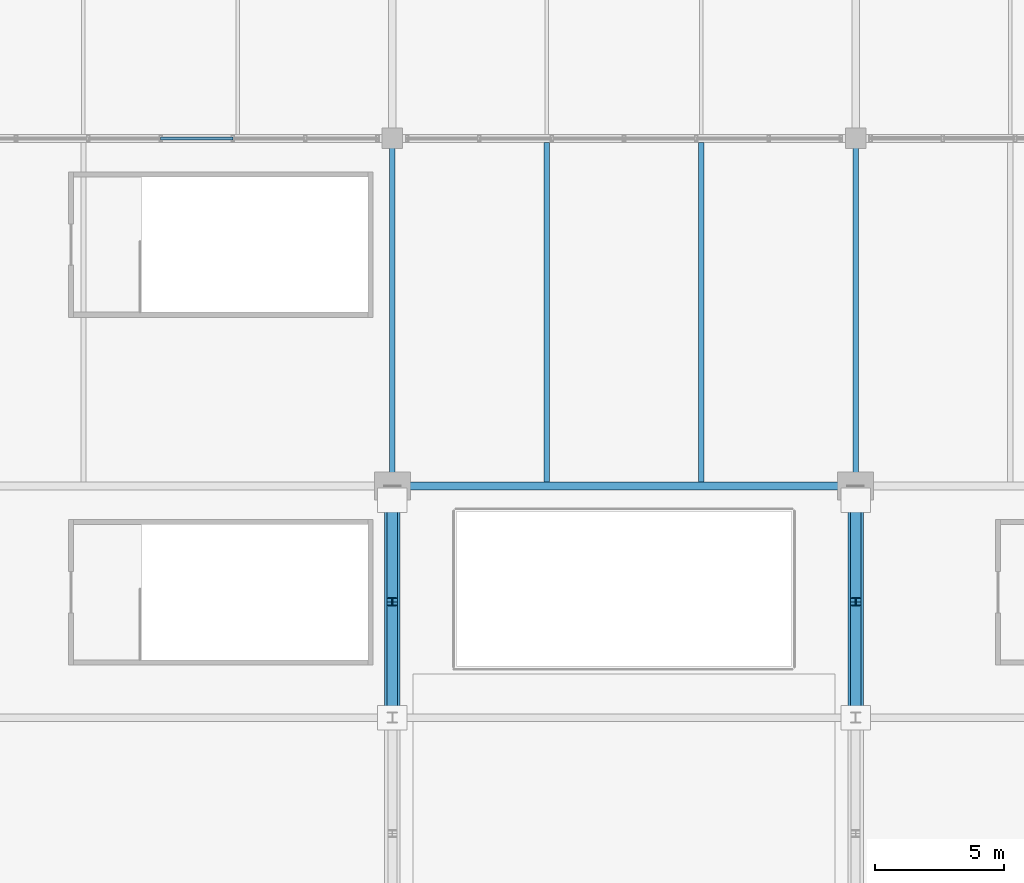
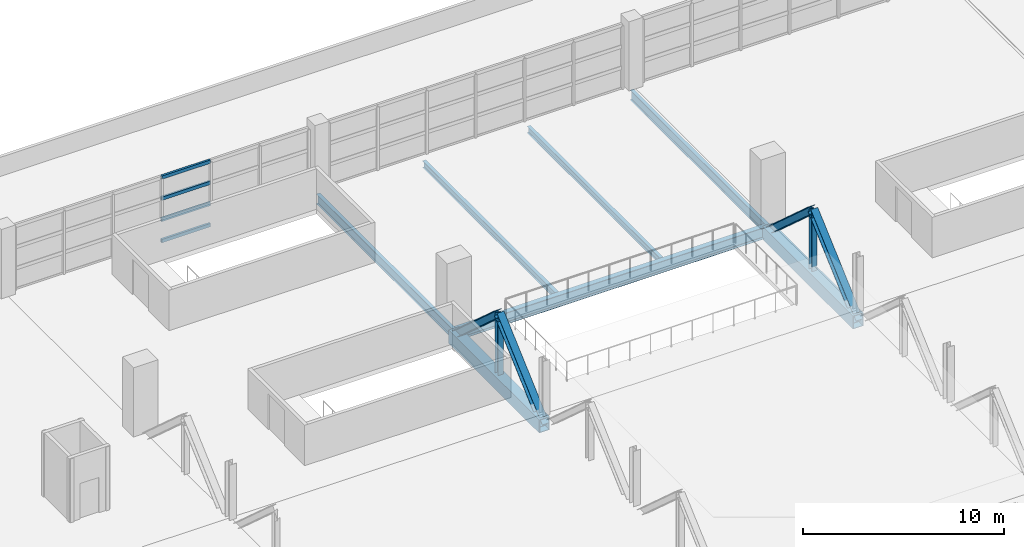
# One storey, part 47 of 136: 10 members, 7 beams, 1 element without a shape of its own.
"""IFC4 building model written with IfcOpenShell, lengths in metres."""

from ifc_helpers import new_model, si_unit, direction, frame, origin, origin_2d, place, context, subcontext, project, spatial, hollow_rectangle, i_section, extrude, material, material_profile, profile_set, type_object, element, aggregate, save


model = new_model("IFC4")

# Units and contexts
model_context = context("Model", 3, precision=1e-05, world=origin(), true_north=direction((0.0, 1.0)))
body_context = subcontext(model_context, "Body", "Model", "MODEL_VIEW")
ifc_project = project(units=[si_unit("LENGTHUNIT", "METRE"), si_unit("AREAUNIT", "SQUARE_METRE"), si_unit("VOLUMEUNIT", "CUBIC_METRE"), si_unit("PLANEANGLEUNIT", "RADIAN"), si_unit("MASSUNIT", "GRAM", prefix="KILO")], contexts=[model_context])

# Site, building, storey
site_placement = place(None, origin())
site = spatial("IfcSite", under=ifc_project, at=site_placement, CompositionType="ELEMENT")
building_placement = place(site_placement, origin())
building = spatial("IfcBuilding", under=site, at=building_placement, Name="Chuanluo Vaults Station", CompositionType="ELEMENT")
storey_placement = place(building_placement, frame((0.0, 0.0, 6.60009765625)))
storey = spatial("IfcBuildingStorey", under=building, at=storey_placement, Name="L01", CompositionType="ELEMENT", Elevation=6.60009765625)

# Beams
ifc_material_1 = material(Name="Steel Q355C", Category="steel")
ifc_material_profile_1 = material_profile(ifc_material_1, i_section(OverallWidth=0.199951171875, OverallDepth=0.60009765625, WebThickness=0.010986328125, FlangeThickness=0.01708984375, FilletRadius=0.01806640625, at=origin_2d()))
ifc_profile_set_1 = profile_set([ifc_material_profile_1], Name="Steel Q355C")
beam_type_1 = type_object("IfcBeamType", Name="BM-GRD-600", PredefinedType="USERDEFINED", material=ifc_profile_set_1)
for number, where, z_axis, x_axis, name in (
    (1, (72.0, 103.5, -0.580078125), (0.0, 1.0, 0.0), (-1.0, 0.0, 0.0), "Floor girder BM:GY:L01:0438"),
    (2, (90.0, 103.5, -0.580078125), (0.0, 1.0, 0.0), (-1.0, 0.0, 0.0), "Floor girder BM:GY:L01:0445"),
):
    element("IfcBeam", number, at=place(storey_placement, frame(where, z_axis=z_axis, x_axis=x_axis)), inside=storey, type_object=beam_type_1, Name=name, ObjectType="GIRDER", PredefinedType="USERDEFINED", context=body_context, shape_type="SweptSolid", body=[
        extrude(i_section(OverallWidth=0.199951171875, OverallDepth=0.60009765625, WebThickness=0.010986328125, FlangeThickness=0.01708984375, FilletRadius=0.01806640625, at=origin_2d()), origin(), (0.0, 0.0, 1.0), 13.5),
    ])
ifc_material_2 = material(Name="Steel Q355C", Category="steel")
ifc_material_profile_2 = material_profile(ifc_material_2, i_section(OverallWidth=0.300048828125, OverallDepth=0.699951171875, WebThickness=0.012939453125, FlangeThickness=0.02392578125, FilletRadius=0.02197265625, at=origin_2d()))
ifc_profile_set_2 = profile_set([ifc_material_profile_2], Name="Steel Q355C")
beam_type_2 = type_object("IfcBeamType", Name="BM-GRD-700", PredefinedType="USERDEFINED", material=ifc_profile_set_2)
beam_placement = place(storey_placement, frame((72.0, 103.5, -0.630126953125), z_axis=(1.0, 0.0, 0.0), x_axis=(0.0, 1.0, 0.0)))
element("IfcBeam", 3, at=beam_placement, inside=storey, type_object=beam_type_2, Name="Floor girder BM:GX:L01:0366", ObjectType="GIRDER", PredefinedType="USERDEFINED", context=body_context, shape_type="SweptSolid", body=[
    extrude(i_section(OverallWidth=0.300048828125, OverallDepth=0.699951171875, WebThickness=0.012939453125, FlangeThickness=0.02392578125, FilletRadius=0.02197265625, at=origin_2d()), origin(), (0.0, 0.0, 1.0), 18.0),
])
ifc_material_3 = material(Name="Steel Q355C", Category="steel")
ifc_material_profile_3 = material_profile(ifc_material_3, i_section(OverallWidth=0.199951171875, OverallDepth=0.39990234375, WebThickness=0.008056640625, FlangeThickness=0.012939453125, FilletRadius=0.01611328125, at=origin_2d()))
ifc_profile_set_3 = profile_set([ifc_material_profile_3], Name="Steel Q355C")
beam_type_3 = type_object("IfcBeamType", Name="BM-SEC-400", PredefinedType="BEAM", material=ifc_profile_set_3)
for number, where, z_axis, x_axis, name in (
    (4, (78.0, 103.655029296875, -0.47998046875), (0.0, 1.0, 0.0), (-1.0, 0.0, 0.0), "Composite secondary joist 0132"),
    (5, (84.0, 103.655029296875, -0.47998046875), (0.0, 1.0, 0.0), (-1.0, 0.0, 0.0), "Composite secondary joist 0133"),
):
    element("IfcBeam", number, at=place(storey_placement, frame(where, z_axis=z_axis, x_axis=x_axis)), inside=storey, type_object=beam_type_3, Name=name, PredefinedType="BEAM", context=body_context, shape_type="SweptSolid", body=[
        extrude(i_section(OverallWidth=0.199951171875, OverallDepth=0.39990234375, WebThickness=0.008056640625, FlangeThickness=0.012939453125, FilletRadius=0.01611328125, at=origin_2d()), origin(), (0.0, 0.0, 1.0), 13.18994140625),
    ])
ifc_material_4 = material(Name="Steel Q390C", Category="steel")
ifc_material_profile_4 = material_profile(ifc_material_4, hollow_rectangle(XDim=0.60009765625, YDim=0.800048828125, WallThickness=0.031982421875, at=origin_2d()))
ifc_profile_set_4 = profile_set([ifc_material_profile_4], Name="Steel Q390C")
beam_type_4 = type_object("IfcBeamType", Name="BM-TT-BOT", PredefinedType="USERDEFINED", material=ifc_profile_set_4)
for number, where, z_axis, x_axis, name in (
    (6, (72.0, 94.5, -0.68017578125), (0.0, 1.0, 0.0), (-1.0, 0.0, 0.0), "Transfer truss TT-5 bottom chord 4"),
    (7, (90.0, 94.5, -0.68017578125), (0.0, 1.0, 0.0), (-1.0, 0.0, 0.0), "Transfer truss TT-6 bottom chord 4"),
):
    element("IfcBeam", number, at=place(storey_placement, frame(where, z_axis=z_axis, x_axis=x_axis)), inside=storey, type_object=beam_type_4, Name=name, ObjectType="GIRDER", PredefinedType="USERDEFINED", context=body_context, shape_type="SweptSolid", body=[
        extrude(hollow_rectangle(XDim=0.60009765625, YDim=0.800048828125, WallThickness=0.031982421875, at=origin_2d()), origin(), (0.0, 0.0, 1.0), 9.0),
    ])

# Curtain wall, members
ifc_material_5 = material(Name="Anodised aluminium 6063-T6", Category="aluminium")
curtain_wall_type = type_object("IfcCurtainWallType", Name="CW-SYS-15", PredefinedType="NOTDEFINED", material=ifc_material_5)
curtain_wall_placement = place(storey_placement, origin())
curtain_wall = element("IfcCurtainWall", 8, at=curtain_wall_placement, inside=storey, type_object=curtain_wall_type, Name="Over-track V4 north facade CW", PredefinedType="NOTDEFINED")
ifc_material_6 = material(Name="Anodised aluminium 6063-T6", Category="aluminium")
ifc_material_profile_5 = material_profile(ifc_material_6, hollow_rectangle(XDim=0.1201171875, YDim=0.205078125, WallThickness=0.006103515625, at=origin_2d()))
ifc_profile_set_5 = profile_set([ifc_material_profile_5], Name="Anodised aluminium 6063-T6")
member_type_1 = type_object("IfcMemberType", Name="CWT-130", PredefinedType="USERDEFINED", material=ifc_profile_set_5)
member_1_placement = place(storey_placement, frame((63.0, 117.0, 0.0), z_axis=(1.0, 0.0, 0.0), x_axis=(0.0, 1.0, 0.0)))
member_1 = element("IfcMember", 9, at=member_1_placement, type_object=member_type_1, Name="Over-track V4 north facade CW transom 4.1", ObjectType="TRANSOM", PredefinedType="USERDEFINED", context=body_context, shape_type="SweptSolid", body=[
    extrude(hollow_rectangle(XDim=0.1201171875, YDim=0.205078125, WallThickness=0.006103515625, at=origin_2d()), origin(), (0.0, 0.0, 1.0), 2.808349609375),
])
member_2_placement = place(storey_placement, frame((63.0, 117.0, 1.283203125), z_axis=(1.0, 0.0, 0.0), x_axis=(0.0, 1.0, 0.0)))
member_2 = element("IfcMember", 10, at=member_2_placement, type_object=member_type_1, Name="Over-track V4 north facade CW transom 4.2", ObjectType="TRANSOM", PredefinedType="USERDEFINED", context=body_context, shape_type="SweptSolid", body=[
    extrude(hollow_rectangle(XDim=0.1201171875, YDim=0.205078125, WallThickness=0.006103515625, at=origin_2d()), origin(), (0.0, 0.0, 1.0), 2.808349609375),
])
member_3_placement = place(storey_placement, frame((63.0, 117.0, 2.566650390625), z_axis=(1.0, 0.0, 0.0), x_axis=(0.0, 1.0, 0.0)))
member_3 = element("IfcMember", 11, at=member_3_placement, type_object=member_type_1, Name="Over-track V4 north facade CW transom 4.3", ObjectType="TRANSOM", PredefinedType="USERDEFINED", context=body_context, shape_type="SweptSolid", body=[
    extrude(hollow_rectangle(XDim=0.1201171875, YDim=0.205078125, WallThickness=0.006103515625, at=origin_2d()), origin(), (0.0, 0.0, 1.0), 2.808349609375),
])
member_4_placement = place(storey_placement, frame((63.0, 117.0, 3.849853515625), z_axis=(1.0, 0.0, 0.0), x_axis=(0.0, 1.0, 0.0)))
member_4 = element("IfcMember", 12, at=member_4_placement, type_object=member_type_1, Name="Over-track V4 north facade CW transom 4.4", ObjectType="TRANSOM", PredefinedType="USERDEFINED", context=body_context, shape_type="SweptSolid", body=[
    extrude(hollow_rectangle(XDim=0.1201171875, YDim=0.205078125, WallThickness=0.006103515625, at=origin_2d()), origin(), (0.0, 0.0, 1.0), 2.808349609375),
])
aggregate(curtain_wall, [member_1, member_2, member_3, member_4])

# Members
ifc_material_7 = material(Name="Steel Q390C", Category="steel")
ifc_material_profile_6 = material_profile(ifc_material_7, i_section(OverallWidth=0.39990234375, OverallDepth=0.407958984375, WebThickness=0.02099609375, FlangeThickness=0.02099609375, FilletRadius=0.02197265625, at=origin_2d()))
ifc_profile_set_6 = profile_set([ifc_material_profile_6], Name="Steel Q390C")
member_type_2 = type_object("IfcMemberType", Name="MEM-DIAG-408", PredefinedType="BRACE", material=ifc_profile_set_6)
for number, where, z_axis, x_axis, name in (
    (13, (72.0, 94.5, -0.68017578125), (0.0, 0.744935757439, 0.667136205949), (-1.0, 0.0, 0.0), "Transfer truss TT-5 diagonal 4A"),
    (14, (72.0, 99.0, 3.349853515625), (0.0, 0.744935757439, -0.667136205949), (-1.0, 0.0, 0.0), "Transfer truss TT-5 diagonal 4B"),
    (15, (90.0, 94.5, -0.68017578125), (0.0, 0.744935757439, 0.667136205949), (-1.0, 0.0, 0.0), "Transfer truss TT-6 diagonal 4A"),
    (16, (90.0, 99.0, 3.349853515625), (0.0, 0.744935757439, -0.667136205949), (-1.0, 0.0, 0.0), "Transfer truss TT-6 diagonal 4B"),
):
    element("IfcMember", number, at=place(storey_placement, frame(where, z_axis=z_axis, x_axis=x_axis)), inside=storey, type_object=member_type_2, Name=name, PredefinedType="BRACE", context=body_context, shape_type="SweptSolid", body=[
        extrude(i_section(OverallWidth=0.39990234375, OverallDepth=0.407958984375, WebThickness=0.02099609375, FlangeThickness=0.02099609375, FilletRadius=0.02197265625, at=origin_2d()), origin(), (0.0, 0.0, 1.0), 6.040771484375),
    ])
ifc_material_8 = material(Name="Steel Q390C", Category="steel")
ifc_material_profile_7 = material_profile(ifc_material_8, i_section(OverallWidth=0.300048828125, OverallDepth=0.300048828125, WebThickness=0.010009765625, FlangeThickness=0.014892578125, FilletRadius=0.01806640625, at=origin_2d()))
ifc_profile_set_7 = profile_set([ifc_material_profile_7], Name="Steel Q390C")
member_type_3 = type_object("IfcMemberType", Name="MEM-VERT-300", PredefinedType="POST", material=ifc_profile_set_7)
for number, where, z_axis, x_axis, name in (
    (17, (72.0, 99.0, -0.68017578125), (0.0, 0.0, 1.0), (1.0, 0.0, 0.0), "Transfer truss TT-5 mid-panel hanger 4"),
    (18, (90.0, 99.0, -0.68017578125), (0.0, 0.0, 1.0), (1.0, 0.0, 0.0), "Transfer truss TT-6 mid-panel hanger 4"),
):
    element("IfcMember", number, at=place(storey_placement, frame(where, z_axis=z_axis, x_axis=x_axis)), inside=storey, type_object=member_type_3, Name=name, PredefinedType="POST", context=body_context, shape_type="SweptSolid", body=[
        extrude(i_section(OverallWidth=0.300048828125, OverallDepth=0.300048828125, WebThickness=0.010009765625, FlangeThickness=0.014892578125, FilletRadius=0.01806640625, at=origin_2d()), origin(), (0.0, 0.0, 1.0), 4.030029296875),
    ])

save(model, "model.ifc")
